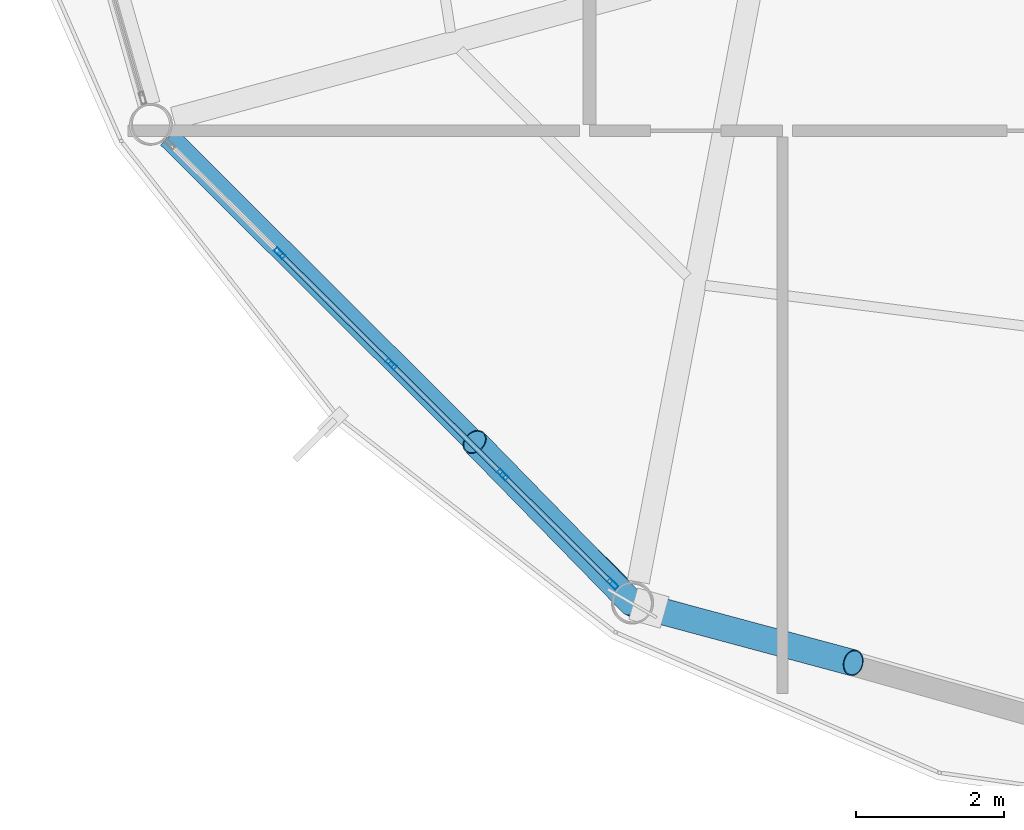
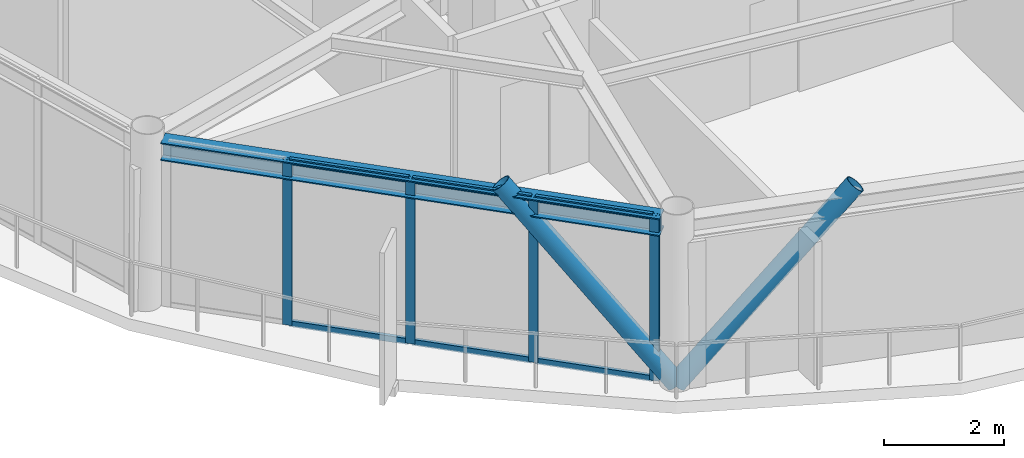
# One storey, part 2 of 24: 12 members, 1 beam, 1 element without a shape of its own.
"""IFC4 building model written with IfcOpenShell, lengths in metres."""

import ifcopenshell
import ifcopenshell.guid

model = None  # the IFC model being written
_history = None  # IfcOwnerHistory: only IFC2X3 demands one
_inside = {}  # id of a spatial element -> (the spatial element, [elements in it])
_under = {}  # id of a project, library or spatial element -> (it, [spatial elements below it])
_declared = {}  # id of a project -> (the project, [libraries it declares])
_typed = {}  # id of a type object -> (the type object, [elements of that type])
_made_of = {}  # id of a material, layer set ... -> (it, [elements and type objects made of it])


def new_model(schema):
    """Start an empty IFC model of exactly this schema.

    Asked for "IFC4X3", IfcOpenShell would pick the latest addendum, in which some entities
    have other attributes; the version numbers below select the first issue.
    IFC2X3 requires an IfcOwnerHistory on every rooted entity: one is made here for all.
    """
    global model, _history
    if schema == "IFC4X3":
        model = ifcopenshell.file(schema_version=(4, 3, 0, 0))
    else:
        model = ifcopenshell.file(schema=schema)
    _inside.clear()
    _under.clear()
    _declared.clear()
    _typed.clear()
    _made_of.clear()
    _history = None
    if model.schema == "IFC2X3":
        org = make("IfcOrganization", Name="unknown")
        user = make(
            "IfcPersonAndOrganization",
            ThePerson=make("IfcPerson", FamilyName="unknown"),
            TheOrganization=org,
        )
        app = make(
            "IfcApplication",
            ApplicationDeveloper=org,
            Version="unknown",
            ApplicationFullName="unknown",
            ApplicationIdentifier="unknown",
        )
        _history = make(
            "IfcOwnerHistory",
            OwningUser=user,
            OwningApplication=app,
            ChangeAction="ADDED",
            CreationDate=0,
        )
    return model


def make(cls, **values):
    """One entity of the class cls with the attributes given. An attribute that is None is left unset."""
    return model.create_entity(
        cls, **{name: value for name, value in values.items() if value is not None}
    )


def rooted(cls, **values):
    """An entity with a GlobalId (a new one), such as an element, a storey or a relation."""
    return make(cls, GlobalId=ifcopenshell.guid.new(), OwnerHistory=_history, **values)


def si_unit(unit_type, name, prefix=None):
    """IfcSIUnit, for example si_unit("LENGTHUNIT", "METRE", prefix="MILLI")."""
    return make("IfcSIUnit", UnitType=unit_type, Prefix=prefix, Name=name)


def assignment(units):
    """IfcUnitAssignment: the units of a project."""
    return None if units is None else make("IfcUnitAssignment", Units=units)


def point(xyz):
    """IfcCartesianPoint."""
    return None if xyz is None else make("IfcCartesianPoint", Coordinates=xyz)


def direction(xyz):
    """IfcDirection."""
    return None if xyz is None else make("IfcDirection", DirectionRatios=xyz)


def frame(location, z_axis=None, x_axis=None):
    """IfcAxis2Placement3D, a coordinate frame: its origin and axes. An axis left out is left unset."""
    return make(
        "IfcAxis2Placement3D",
        Location=point(location),
        Axis=direction(z_axis),
        RefDirection=direction(x_axis),
    )


def frame_2d(location, x_axis=None):
    """IfcAxis2Placement2D, a coordinate frame in the plane: its origin and x axis."""
    return make(
        "IfcAxis2Placement2D", Location=point(location), RefDirection=direction(x_axis)
    )


def origin():
    """The frame at (0, 0, 0) with its axes left unset."""
    return frame((0.0, 0.0, 0.0))


def origin_2d():
    """The frame at (0, 0) in the plane with its x axis left unset."""
    return frame_2d((0.0, 0.0))


def place(relative_to, where):
    """IfcLocalPlacement: puts the frame where relative to a parent placement (None: the world)."""
    return make(
        "IfcLocalPlacement", PlacementRelTo=relative_to, RelativePlacement=where
    )


def context(
    kind, dimensions, precision=None, world=None, true_north=None, identifier=None
):
    """IfcGeometricRepresentationContext, for example the 3D "Model" context."""
    return make(
        "IfcGeometricRepresentationContext",
        ContextIdentifier=identifier,
        ContextType=kind,
        CoordinateSpaceDimension=dimensions,
        Precision=precision,
        WorldCoordinateSystem=world,
        TrueNorth=true_north,
    )


def subcontext(parent, identifier, kind, view, scale=None):
    """IfcGeometricRepresentationSubContext, for example "Body" below "Model"."""
    return make(
        "IfcGeometricRepresentationSubContext",
        ContextIdentifier=identifier,
        ContextType=kind,
        ParentContext=parent,
        TargetScale=scale,
        TargetView=view,
    )


def project(units=None, contexts=None):
    """IfcProject with its units and contexts."""
    return rooted(
        "IfcProject",
        Name="project",
        RepresentationContexts=contexts,
        UnitsInContext=assignment(units),
    )


def spatial(cls, under=None, at=None, **own):
    """A site, building, storey or space (cls), placed at a placement, below another one or the project."""
    s = rooted(cls, ObjectPlacement=at, **own)
    if under is not None:
        _under.setdefault(under.id(), (under, []))[1].append(s)
    return s


def profile(cls, at=None, kind="AREA", **sizes):
    """A parametric profile (cls). Its sizes go by their IFC names, for example OverallWidth=200.0."""
    return make(cls, ProfileType=kind, Position=at, **sizes)


def hollow_rectangle(**sizes):
    """IfcRectangleHollowProfileDef."""
    return profile("IfcRectangleHollowProfileDef", **sizes)


def hollow_circle(**sizes):
    """IfcCircleHollowProfileDef."""
    return profile("IfcCircleHollowProfileDef", **sizes)


def i_section(**sizes):
    """IfcIShapeProfileDef."""
    return profile("IfcIShapeProfileDef", **sizes)


def extrude(swept, where, along, depth):
    """IfcExtrudedAreaSolid: the profile swept, set in the frame where, extruded along a direction by depth."""
    return make(
        "IfcExtrudedAreaSolid",
        SweptArea=swept,
        Position=where,
        ExtrudedDirection=direction(along),
        Depth=depth,
    )


def shape(context_of_items, identifier, shape_type, items):
    """IfcShapeRepresentation: the items that make up one representation, for example the "Body"."""
    return make(
        "IfcShapeRepresentation",
        ContextOfItems=context_of_items,
        RepresentationIdentifier=identifier,
        RepresentationType=shape_type,
        Items=items,
    )


def material(Name=None, Category=None):
    """IfcMaterial."""
    return make("IfcMaterial", Name=Name, Category=Category)


def layer(
    of_material, thickness, ventilated=None, Name=None, Category=None, Priority=None
):
    """IfcMaterialLayer: one layer of a wall or slab, of a material (None: an air gap)."""
    return make(
        "IfcMaterialLayer",
        Material=of_material,
        LayerThickness=thickness,
        IsVentilated=ventilated,
        Name=Name,
        Category=Category,
        Priority=Priority,
    )


def layer_set(layers, Name=None):
    """IfcMaterialLayerSet."""
    return make("IfcMaterialLayerSet", MaterialLayers=layers, LayerSetName=Name)


def material_profile(
    of_material, cross_section, Name=None, Category=None, Priority=None
):
    """IfcMaterialProfile: a cross section and its material."""
    return make(
        "IfcMaterialProfile",
        Name=Name,
        Material=of_material,
        Profile=cross_section,
        Priority=Priority,
        Category=Category,
    )


def profile_set(profiles, Name=None, composite=None):
    """IfcMaterialProfileSet."""
    return make(
        "IfcMaterialProfileSet",
        Name=Name,
        MaterialProfiles=profiles,
        CompositeProfile=composite,
    )


def made_of(thing, what):
    """Note that an element or type object is made of a material, layer set ...; save() writes the relation."""
    if what is not None:
        _made_of.setdefault(what.id(), (what, []))[1].append(thing)
    return thing


def type_object(cls, material=None, **own):
    """A type object (cls), such as IfcWallType, which elements share."""
    return made_of(rooted(cls, **own), material)


def element(
    cls,
    number,
    at=None,
    inside=None,
    cuts=None,
    type_object=None,
    material=None,
    context=None,
    identifier="Body",
    shape_type=None,
    held_by="IfcProductDefinitionShape",
    body=None,
    shapes=None,
    **own,
):
    """One element of the class cls, such as IfcWall. Its Tag is "e" and its number.

    at: its placement. inside: the storey or other place that contains it. cuts: it is an
    opening in that element (IfcRelVoidsElement). A single representation is given by context,
    identifier, shape_type and body (its items); several are given by shapes. held_by: the class
    of the entity that holds the representations. save() writes the other relations.
    """
    e = rooted(cls, Tag="e%d" % number, ObjectPlacement=at, **own)
    if body is not None:
        shapes = [shape(context, identifier, shape_type, body)]
    if shapes is not None:
        e.Representation = make(held_by, Representations=shapes)
    if inside is not None:
        _inside.setdefault(inside.id(), (inside, []))[1].append(e)
    if cuts is not None:
        rooted(
            "IfcRelVoidsElement", RelatingBuildingElement=cuts, RelatedOpeningElement=e
        )
    if type_object is not None:
        _typed.setdefault(type_object.id(), (type_object, []))[1].append(e)
    return made_of(e, material)


def aggregate(whole, parts):
    """IfcRelAggregates: a whole, such as a stair, and the parts it consists of."""
    return rooted("IfcRelAggregates", RelatingObject=whole, RelatedObjects=parts)


def save(model, path):
    """Write the relations noted so far, then the file.

    IfcRelAggregates (storeys below a building ...), IfcRelContainedInSpatialStructure (elements
    in a storey), IfcRelDefinesByType, IfcRelAssociatesMaterial and IfcRelDeclares: one each for
    every whole, place, type object, material and project.
    """
    for whole, parts in _under.values():
        aggregate(whole, parts)
    for where, things in _inside.values():
        rooted(
            "IfcRelContainedInSpatialStructure",
            RelatedElements=things,
            RelatingStructure=where,
        )
    for kind, things in _typed.values():
        rooted("IfcRelDefinesByType", RelatedObjects=things, RelatingType=kind)
    for what, things in _made_of.values():
        rooted("IfcRelAssociatesMaterial", RelatedObjects=things, RelatingMaterial=what)
    for by, libraries in _declared.values():
        rooted("IfcRelDeclares", RelatingContext=by, RelatedDefinitions=libraries)
    model.write(path)


model = new_model("IFC4")

# Units and contexts
model_context = context("Model", 3, precision=1e-05, world=origin(), true_north=direction((0.0, 1.0)))
body_context = subcontext(model_context, "Body", "Model", "MODEL_VIEW")
ifc_project = project(units=[si_unit("LENGTHUNIT", "METRE"), si_unit("AREAUNIT", "SQUARE_METRE"), si_unit("VOLUMEUNIT", "CUBIC_METRE"), si_unit("PLANEANGLEUNIT", "RADIAN"), si_unit("MASSUNIT", "GRAM", prefix="KILO")], contexts=[model_context])

# Site, building, storey
site_placement = place(None, origin())
site = spatial("IfcSite", under=ifc_project, at=site_placement, CompositionType="ELEMENT")
building_placement = place(site_placement, origin())
building = spatial("IfcBuilding", under=site, at=building_placement, Name="Varnakorn Sky Granary", CompositionType="ELEMENT")
storey_placement = place(building_placement, frame((0.0, 0.0, 281.39990234375)))
storey = spatial("IfcBuildingStorey", under=building, at=storey_placement, Name="L72", CompositionType="ELEMENT", Elevation=281.39990234375)

# Beam
ifc_material_1 = material(Name="Steel S355JR", Category="steel")
ifc_material_profile_1 = material_profile(ifc_material_1, i_section(OverallWidth=0.300048828125, OverallDepth=0.360107421875, WebThickness=0.012451171875, FlangeThickness=0.0224609375, at=origin_2d()), Name="HE 360 B")
ifc_profile_set_1 = profile_set([ifc_material_profile_1], Name="Steel S355JR")
beam_type = type_object("IfcBeamType", Name="BM-SPD-Z5", PredefinedType="SPANDREL", material=ifc_profile_set_1)
beam_placement = place(storey_placement, frame((-10.2763671875, -8.986083984375, 3.18017578125), z_axis=(0.708779192031, -0.705430405458, 0.0), x_axis=(0.705430405458, 0.708779192031, 0.0)))
element("IfcBeam", 1, at=beam_placement, inside=storey, type_object=beam_type, Name="Perimeter Spandrel Ring Beam RB08 L72", PredefinedType="SPANDREL", context=body_context, shape_type="SweptSolid", body=[
    extrude(i_section(OverallWidth=0.300048828125, OverallDepth=0.360107421875, WebThickness=0.012451171875, FlangeThickness=0.0224609375, at=origin_2d()), origin(), (0.0, 0.0, 1.0), 8.602783203125),
])

# Curtain wall, members
ifc_material_2 = material(Name="Anodised Bronze Aluminium Alloy 6063-T6", Category="aluminium")
ifc_layer = layer(ifc_material_2, 0.159912109375, Name="Anodised Bronze Aluminium Alloy 6063-T6")
ifc_layer_set = layer_set([ifc_layer], Name="Anodised Bronze Aluminium Alloy 6063-T6")
curtain_wall_type = type_object("IfcCurtainWallType", Name="CW-OFF-1", PredefinedType="USERDEFINED", material=ifc_layer_set)
curtain_wall_placement = place(storey_placement, origin())
curtain_wall = element("IfcCurtainWall", 2, at=curtain_wall_placement, inside=storey, type_object=curtain_wall_type, Name="Unitised Curtain Wall CW6 CW-L72-B08", ObjectType="CURTAIN WALL", PredefinedType="USERDEFINED")
ifc_material_profile_2 = material_profile(ifc_material_2, hollow_rectangle(XDim=0.06494140625, YDim=0.159912109375, WallThickness=0.00341796875, at=origin_2d()), Name="ALU MULL 65x160")
ifc_profile_set_2 = profile_set([ifc_material_profile_2], Name="Anodised Bronze Aluminium Alloy 6063-T6")
member_type_1 = type_object("IfcMemberType", Name="CW-OFF-1-MULL", PredefinedType="MULLION", material=ifc_profile_set_2)
member_1_placement = place(storey_placement, frame((-4.2890625, -15.00830078125, 0.0), z_axis=(0.0, 0.0, 1.0), x_axis=(-0.704761759046, -0.709444052048, 0.0)))
member_1 = element("IfcMember", 3, at=member_1_placement, type_object=member_type_1, Name="CW6 mullion 1", PredefinedType="MULLION", context=body_context, shape_type="SweptSolid", body=[
    extrude(hollow_rectangle(XDim=0.06494140625, YDim=0.159912109375, WallThickness=0.00341796875, at=origin_2d()), origin(), (0.0, 0.0, 1.0), 3.360107421875),
])
member_2_placement = place(storey_placement, frame((-5.769775390625, -13.537353515625, 0.0), z_axis=(0.0, 0.0, 1.0), x_axis=(-0.704761759046, -0.709444052048, 0.0)))
member_2 = element("IfcMember", 4, at=member_2_placement, type_object=member_type_1, Name="CW6 mullion 2", PredefinedType="MULLION", context=body_context, shape_type="SweptSolid", body=[
    extrude(hollow_rectangle(XDim=0.06494140625, YDim=0.159912109375, WallThickness=0.00341796875, at=origin_2d()), origin(), (0.0, 0.0, 1.0), 3.360107421875),
])
member_3_placement = place(storey_placement, frame((-7.2734375, -12.04345703125, 0.0), z_axis=(0.0, 0.0, 1.0), x_axis=(-0.704761759046, -0.709444052048, 0.0)))
member_3 = element("IfcMember", 5, at=member_3_placement, type_object=member_type_1, Name="CW6 mullion 3", PredefinedType="MULLION", context=body_context, shape_type="SweptSolid", body=[
    extrude(hollow_rectangle(XDim=0.06494140625, YDim=0.159912109375, WallThickness=0.00341796875, at=origin_2d()), origin(), (0.0, 0.0, 1.0), 3.360107421875),
])
member_4_placement = place(storey_placement, frame((-8.77734375, -10.549560546875, 0.0), z_axis=(0.0, 0.0, 1.0), x_axis=(-0.704761759046, -0.709444052048, 0.0)))
member_4 = element("IfcMember", 6, at=member_4_placement, type_object=member_type_1, Name="CW6 mullion 4", PredefinedType="MULLION", context=body_context, shape_type="SweptSolid", body=[
    extrude(hollow_rectangle(XDim=0.06494140625, YDim=0.159912109375, WallThickness=0.00341796875, at=origin_2d()), origin(), (0.0, 0.0, 1.0), 3.360107421875),
])
ifc_material_profile_3 = material_profile(ifc_material_2, hollow_rectangle(XDim=0.06494140625, YDim=0.1201171875, WallThickness=0.00341796875, at=origin_2d()), Name="ALU TRAN 65x120")
ifc_profile_set_3 = profile_set([ifc_material_profile_3], Name="Anodised Bronze Aluminium Alloy 6063-T6")
member_type_2 = type_object("IfcMemberType", Name="CW-OFF-1-TRAN", PredefinedType="USERDEFINED", material=ifc_profile_set_3)
member_5_placement = place(storey_placement, frame((-4.31201171875, -14.985595703125, 0.03271484375), z_axis=(-0.709396889916, 0.704809231336, 0.0), x_axis=(-0.704809231336, -0.709396889916, 0.0)))
member_5 = element("IfcMember", 7, at=member_5_placement, type_object=member_type_2, Name="CW6 transom 1.1", ObjectType="TRANSOM", PredefinedType="USERDEFINED", context=body_context, shape_type="SweptSolid", body=[
    extrude(hollow_rectangle(XDim=0.06494140625, YDim=0.1201171875, WallThickness=0.00341796875, at=origin_2d()), origin(), (0.0, 0.0, 1.0), 2.022216796875),
])
member_6_placement = place(storey_placement, frame((-4.31201171875, -14.985595703125, 3.32763671875), z_axis=(-0.709396889916, 0.704809231336, 0.0), x_axis=(-0.704809231336, -0.709396889916, 0.0)))
member_6 = element("IfcMember", 8, at=member_6_placement, type_object=member_type_2, Name="CW6 transom 1.2", ObjectType="TRANSOM", PredefinedType="USERDEFINED", context=body_context, shape_type="SweptSolid", body=[
    extrude(hollow_rectangle(XDim=0.06494140625, YDim=0.1201171875, WallThickness=0.00341796875, at=origin_2d()), origin(), (0.0, 0.0, 1.0), 2.022216796875),
])
member_7_placement = place(storey_placement, frame((-5.792724609375, -13.514404296875, 0.03271484375), z_axis=(-0.709479204587, 0.704726371195, 0.0), x_axis=(-0.704726371195, -0.709479204587, 0.0)))
member_7 = element("IfcMember", 9, at=member_7_placement, type_object=member_type_2, Name="CW6 transom 2.1", ObjectType="TRANSOM", PredefinedType="USERDEFINED", context=body_context, shape_type="SweptSolid", body=[
    extrude(hollow_rectangle(XDim=0.06494140625, YDim=0.1201171875, WallThickness=0.00341796875, at=origin_2d()), origin(), (0.0, 0.0, 1.0), 2.0546875),
])
member_8_placement = place(storey_placement, frame((-5.792724609375, -13.514404296875, 3.32763671875), z_axis=(-0.709479204587, 0.704726371195, 0.0), x_axis=(-0.704726371195, -0.709479204587, 0.0)))
member_8 = element("IfcMember", 10, at=member_8_placement, type_object=member_type_2, Name="CW6 transom 2.2", ObjectType="TRANSOM", PredefinedType="USERDEFINED", context=body_context, shape_type="SweptSolid", body=[
    extrude(hollow_rectangle(XDim=0.06494140625, YDim=0.1201171875, WallThickness=0.00341796875, at=origin_2d()), origin(), (0.0, 0.0, 1.0), 2.0546875),
])
member_9_placement = place(storey_placement, frame((-7.296630859375, -12.020751953125, 0.03271484375), z_axis=(-0.709360774339, 0.70484558013, 0.0), x_axis=(-0.70484558013, -0.709360774339, 0.0)))
member_9 = element("IfcMember", 11, at=member_9_placement, type_object=member_type_2, Name="CW6 transom 3.1", ObjectType="TRANSOM", PredefinedType="USERDEFINED", context=body_context, shape_type="SweptSolid", body=[
    extrude(hollow_rectangle(XDim=0.06494140625, YDim=0.1201171875, WallThickness=0.00341796875, at=origin_2d()), origin(), (0.0, 0.0, 1.0), 2.0546875),
])
member_10_placement = place(storey_placement, frame((-7.296630859375, -12.020751953125, 3.32763671875), z_axis=(-0.709360774339, 0.70484558013, 0.0), x_axis=(-0.70484558013, -0.709360774339, 0.0)))
member_10 = element("IfcMember", 12, at=member_10_placement, type_object=member_type_2, Name="CW6 transom 3.2", ObjectType="TRANSOM", PredefinedType="USERDEFINED", context=body_context, shape_type="SweptSolid", body=[
    extrude(hollow_rectangle(XDim=0.06494140625, YDim=0.1201171875, WallThickness=0.00341796875, at=origin_2d()), origin(), (0.0, 0.0, 1.0), 2.0546875),
])
aggregate(curtain_wall, [member_1, member_2, member_3, member_4, member_5, member_6, member_7, member_8, member_9, member_10])

# Members
ifc_material_3 = material(Name="Steel S460M", Category="steel")
ifc_material_profile_4 = material_profile(ifc_material_3, hollow_circle(Radius=0.177734375, WallThickness=0.01416015625, at=origin_2d()), Name="CHS 355.6x14")
ifc_profile_set_4 = profile_set([ifc_material_profile_4], Name="Steel S460M")
member_type_3 = type_object("IfcMemberType", Name="MB-DIAG-T5", PredefinedType="BRACE", material=ifc_profile_set_4)
member_11_placement = place(storey_placement, frame((-4.02490234375, -15.2705078125, 0.0), z_axis=(-0.458839922845, 0.470179070364, 0.753921459434), x_axis=(-0.715684070406, -0.698424162932, 0.0)))
element("IfcMember", 13, at=member_11_placement, inside=storey, type_object=member_type_3, Name="Perimeter CHS Diagrid Brace DG08 L72", PredefinedType="BRACE", context=body_context, shape_type="SweptSolid", body=[
    extrude(hollow_circle(Radius=0.177734375, WallThickness=0.01416015625, at=origin_2d()), origin(), (0.0, 0.0, 1.0), 4.629150390625),
])
member_12_placement = place(storey_placement, frame((-4.02490234375, -15.2705078125, 0.0), z_axis=(0.639763102174, -0.172032292935, 0.749071467408), x_axis=(0.25967561977, 0.965695900632, 0.0)))
element("IfcMember", 14, at=member_12_placement, inside=storey, type_object=member_type_3, Name="Perimeter CHS Diagrid Brace DG09 L72", PredefinedType="BRACE", context=body_context, shape_type="SweptSolid", body=[
    extrude(hollow_circle(Radius=0.177734375, WallThickness=0.01416015625, at=origin_2d()), origin(), (0.0, 0.0, 1.0), 4.6591796875),
])

save(model, "model.ifc")
